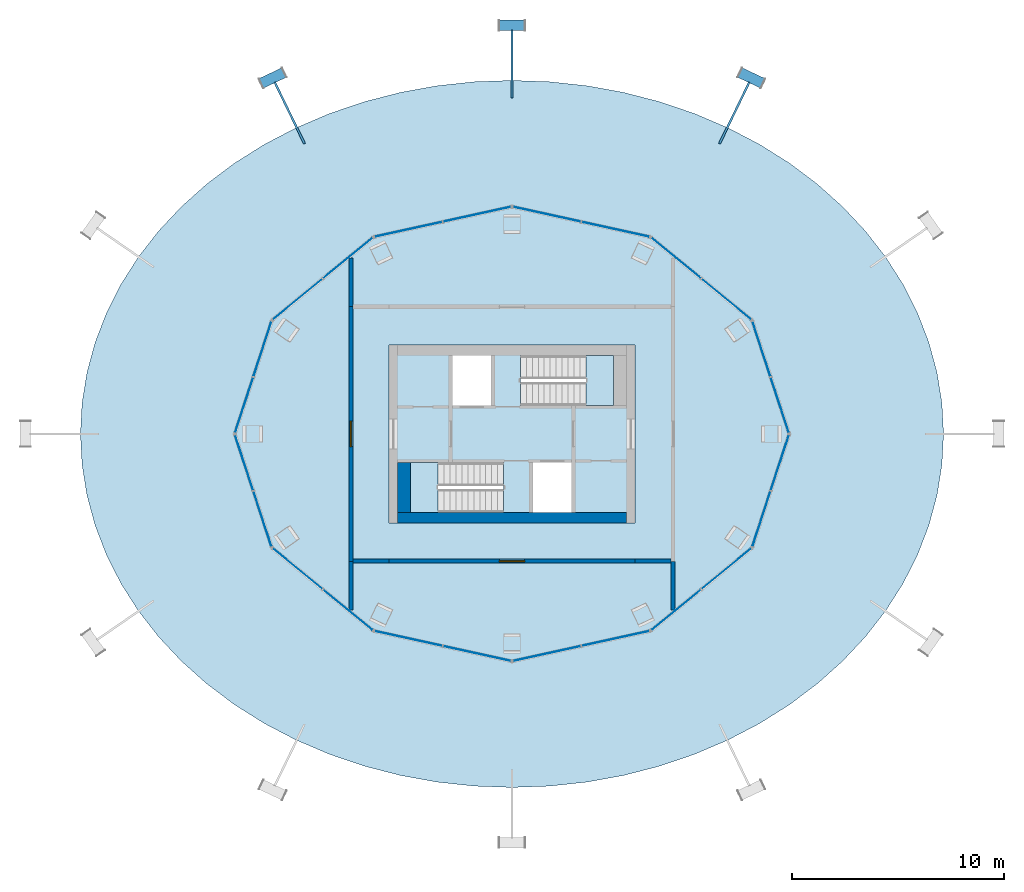
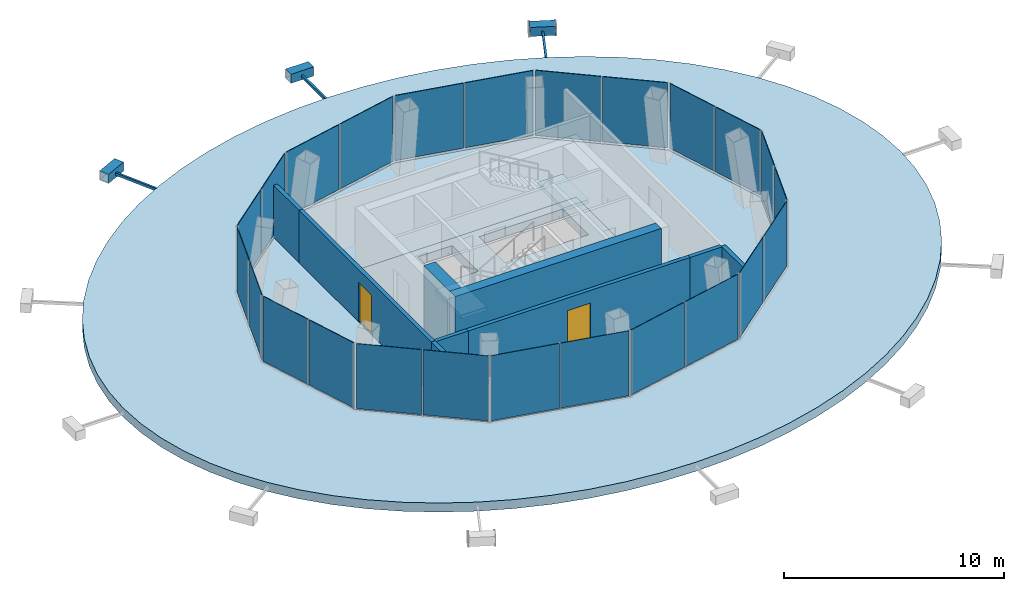
# One storey, part 5 of 10: 24 plates, 9 walls, 6 members, 5 slabs, 2 doors, 2 openings, 14 elements without a shape of their own.
"""IFC4 building model written with IfcOpenShell, lengths in metres."""

from ifc_helpers import new_model, si_unit, direction, frame, frame_2d, origin, origin_2d, place, context, subcontext, project, spatial, polyline, rectangle, hollow_rectangle, outline, extrude, material, layer, layer_set, material_profile, profile_set, type_object, element, fill, aggregate, save


model = new_model("IFC4")

# Units and contexts
model_context = context("Model", 3, precision=1e-05, world=origin(), true_north=direction((0.0, 1.0)))
body_context = subcontext(model_context, "Body", "Model", "MODEL_VIEW")
ifc_project = project(units=[si_unit("LENGTHUNIT", "METRE"), si_unit("AREAUNIT", "SQUARE_METRE"), si_unit("VOLUMEUNIT", "CUBIC_METRE"), si_unit("PLANEANGLEUNIT", "RADIAN"), si_unit("MASSUNIT", "GRAM", prefix="KILO")], contexts=[model_context])

# Site, building, storey
site_placement = place(None, origin())
site = spatial("IfcSite", under=ifc_project, at=site_placement, CompositionType="ELEMENT")
building_placement = place(site_placement, origin())
building = spatial("IfcBuilding", under=site, at=building_placement, Name="Siaravel Broadcast Tower", CompositionType="ELEMENT")
storey_placement = place(building_placement, frame((0.0, 0.0, 272.60009765625)))
storey = spatial("IfcBuildingStorey", under=building, at=storey_placement, Name="L66", CompositionType="ELEMENT", Elevation=272.60009765625)

# Members
ifc_material_1 = material(Name="Steel S460", Category="steel")
ifc_material_profile_1 = material_profile(ifc_material_1, hollow_rectangle(XDim=0.5, YDim=0.5, WallThickness=0.031982421875, at=origin_2d()))
ifc_profile_set_1 = profile_set([ifc_material_profile_1], Name="Steel S460")
member_type_1 = type_object("IfcMemberType", Name="Diagrid node BOX 500x500x32", PredefinedType="USERDEFINED", material=ifc_profile_set_1)
member_1_placement = place(storey_placement, frame((11.82958984375, 16.5419921875, -0.2001953125), z_axis=(-0.904005771, 0.427520253, 0.0), x_axis=(-0.427520253, -0.904005771, 0.0)))
element("IfcMember", 1, at=member_1_placement, inside=storey, type_object=member_type_1, Name="Diagrid node R27 station 12", ObjectType="DIAGRID NODE", PredefinedType="USERDEFINED", context=body_context, shape_type="SweptSolid", body=[
    extrude(hollow_rectangle(XDim=0.5, YDim=0.5, WallThickness=0.031982421875, at=origin_2d()), origin(), (0.0, 0.0, 1.0), 1.186767578125),
])
member_2_placement = place(storey_placement, frame((0.593505859375, 19.280029296875, -0.2001953125), z_axis=(-1.0, 0.0, 0.0), x_axis=(0.0, -1.0, 0.0)))
element("IfcMember", 2, at=member_2_placement, inside=storey, type_object=member_type_1, Name="Diagrid node R27 station 18", ObjectType="DIAGRID NODE", PredefinedType="USERDEFINED", context=body_context, shape_type="SweptSolid", body=[
    extrude(hollow_rectangle(XDim=0.5, YDim=0.5, WallThickness=0.031982421875, at=origin_2d()), origin(), (0.0, 0.0, 1.0), 1.18701171875),
])
member_3_placement = place(storey_placement, frame((-10.7568359375, 17.04931640625, -0.2001953125), z_axis=(-0.904005771, -0.427520253, 0.0), x_axis=(0.427520253, -0.904005771, 0.0)))
element("IfcMember", 3, at=member_3_placement, inside=storey, type_object=member_type_1, Name="Diagrid node R27 station 24", ObjectType="DIAGRID NODE", PredefinedType="USERDEFINED", context=body_context, shape_type="SweptSolid", body=[
    extrude(hollow_rectangle(XDim=0.5, YDim=0.5, WallThickness=0.031982421875, at=origin_2d()), origin(), (0.0, 0.0, 1.0), 1.186767578125),
])
ifc_material_profile_2 = material_profile(ifc_material_1, hollow_rectangle(XDim=0.10009765625, YDim=0.14990234375, WallThickness=0.008056640625, at=origin_2d()))
ifc_profile_set_2 = profile_set([ifc_material_profile_2], Name="Steel S460")
member_type_2 = type_object("IfcMemberType", Name="Diagrid node arm RHS 150x100x8", PredefinedType="STRUT", material=ifc_profile_set_2)
member_4_placement = place(storey_placement, frame((9.78857421875, 13.692138671875, -0.25), z_axis=(0.436262376, 0.899819504, 0.0), x_axis=(-0.899819504, 0.436262376, 0.0)))
element("IfcMember", 4, at=member_4_placement, inside=storey, type_object=member_type_2, Name="Node arm R27 station 12", PredefinedType="STRUT", context=body_context, shape_type="SweptSolid", body=[
    extrude(hollow_rectangle(XDim=0.10009765625, YDim=0.14990234375, WallThickness=0.008056640625, at=origin_2d()), origin(), (0.0, 0.0, 1.0), 3.22900390625),
])
member_5_placement = place(storey_placement, frame((0.0, 15.840087890625, -0.25), z_axis=(0.0, 1.0, 0.0), x_axis=(-1.0, 0.0, 0.0)))
element("IfcMember", 5, at=member_5_placement, inside=storey, type_object=member_type_2, Name="Node arm R27 station 18", PredefinedType="STRUT", context=body_context, shape_type="SweptSolid", body=[
    extrude(hollow_rectangle(XDim=0.10009765625, YDim=0.14990234375, WallThickness=0.008056640625, at=origin_2d()), origin(), (0.0, 0.0, 1.0), 3.219970703125),
])
member_6_placement = place(storey_placement, frame((-9.78857421875, 13.692138671875, -0.25), z_axis=(-0.436262376, 0.899819504, 0.0), x_axis=(-0.899819504, -0.436262376, 0.0)))
element("IfcMember", 6, at=member_6_placement, inside=storey, type_object=member_type_2, Name="Node arm R27 station 24", PredefinedType="STRUT", context=body_context, shape_type="SweptSolid", body=[
    extrude(hollow_rectangle(XDim=0.10009765625, YDim=0.14990234375, WallThickness=0.008056640625, at=origin_2d()), origin(), (0.0, 0.0, 1.0), 3.22900390625),
])

# Curtain wall, plates
ifc_material_2 = material(Name="Aluminium 6063-T6", Category="aluminium")
ifc_layer_1 = layer(ifc_material_2, 0.179931640625)
ifc_layer_set_1 = layer_set([ifc_layer_1], Name="Aluminium 6063-T6")
curtain_wall_type = type_object("IfcCurtainWallType", Name="Crown glass facet wall", PredefinedType="NOTDEFINED", material=ifc_layer_set_1)
curtain_wall_1_placement = place(storey_placement, origin())
curtain_wall_1 = element("IfcCurtainWall", 7, at=curtain_wall_1_placement, inside=storey, type_object=curtain_wall_type, Name="L66 Crown glass facet wall 01", PredefinedType="NOTDEFINED")
ifc_material_3 = material(Name="Low-iron laminated glass", Category="glass")
ifc_layer_2 = layer(ifc_material_3, 0.02392578125)
ifc_layer_set_2 = layer_set([ifc_layer_2], Name="Low-iron laminated glass")
plate_type = type_object("IfcPlateType", Name="CW-CR glass panel", PredefinedType="CURTAIN_PANEL", material=ifc_layer_set_2)
plate_1_placement = place(storey_placement, frame((12.63916015625, 1.35595703125, 0.099853515625), z_axis=(0.0, 0.0, 1.0), x_axis=(-0.310861592, 0.950455191, 0.0)))
plate_1 = element("IfcPlate", 8, at=plate_1_placement, type_object=plate_type, Name="CW-CR glass panel", PredefinedType="CURTAIN_PANEL", context=body_context, shape_type="SweptSolid", body=[
    extrude(rectangle(XDim=2.733154296875, YDim=0.02392578125, at=origin_2d()), origin(), (0.0, 0.0, 1.0), 3.60009765625),
])
plate_2_placement = place(storey_placement, frame((11.77099609375, 4.010498046875, 0.099853515625), z_axis=(0.0, 0.0, 1.0), x_axis=(-0.310861592, 0.950455191, 0.0)))
plate_2 = element("IfcPlate", 9, at=plate_2_placement, type_object=plate_type, Name="CW-CR glass panel", PredefinedType="CURTAIN_PANEL", context=body_context, shape_type="SweptSolid", body=[
    extrude(rectangle(XDim=2.733154296875, YDim=0.02392578125, at=origin_2d()), origin(), (0.0, 0.0, 1.0), 3.60009765625),
])
aggregate(curtain_wall_1, [plate_1, plate_2])

curtain_wall_2_placement = place(storey_placement, origin())
curtain_wall_2 = element("IfcCurtainWall", 10, at=curtain_wall_2_placement, inside=storey, type_object=curtain_wall_type, Name="L66 Crown glass facet wall 02", PredefinedType="NOTDEFINED")
plate_3_placement = place(storey_placement, frame((10.118408203125, 6.35693359375, 0.099853515625), z_axis=(0.0, 0.0, 1.0), x_axis=(-0.773569435, 0.63371155, 0.0)))
plate_3 = element("IfcPlate", 11, at=plate_3_placement, type_object=plate_type, Name="CW-CR glass panel", PredefinedType="CURTAIN_PANEL", context=body_context, shape_type="SweptSolid", body=[
    extrude(rectangle(XDim=3.005859375, YDim=0.02392578125, at=origin_2d()), origin(), (0.0, 0.0, 1.0), 3.60009765625),
])
plate_4_placement = place(storey_placement, frame((7.74658203125, 8.2998046875, 0.099853515625), z_axis=(0.0, 0.0, 1.0), x_axis=(-0.773569435, 0.63371155, 0.0)))
plate_4 = element("IfcPlate", 12, at=plate_4_placement, type_object=plate_type, Name="CW-CR glass panel", PredefinedType="CURTAIN_PANEL", context=body_context, shape_type="SweptSolid", body=[
    extrude(rectangle(XDim=3.005859375, YDim=0.02392578125, at=origin_2d()), origin(), (0.0, 0.0, 1.0), 3.60009765625),
])
aggregate(curtain_wall_2, [plate_3, plate_4])

curtain_wall_3_placement = place(storey_placement, origin())
curtain_wall_3 = element("IfcCurtainWall", 13, at=curtain_wall_3_placement, inside=storey, type_object=curtain_wall_type, Name="L66 Crown glass facet wall 03", PredefinedType="NOTDEFINED")
plate_5_placement = place(storey_placement, frame((4.888671875, 9.652099609375, 0.099853515625), z_axis=(0.0, 0.0, 1.0), x_axis=(-0.976747294, 0.214393853, 0.0)))
plate_5 = element("IfcPlate", 14, at=plate_5_placement, type_object=plate_type, Name="CW-CR glass panel", PredefinedType="CURTAIN_PANEL", context=body_context, shape_type="SweptSolid", body=[
    extrude(rectangle(XDim=3.256591796875, YDim=0.02392578125, at=origin_2d()), origin(), (0.0, 0.0, 1.0), 3.60009765625),
])
plate_6_placement = place(storey_placement, frame((1.649169921875, 10.36328125, 0.099853515625), z_axis=(0.0, 0.0, 1.0), x_axis=(-0.976747294, 0.214393853, 0.0)))
plate_6 = element("IfcPlate", 15, at=plate_6_placement, type_object=plate_type, Name="CW-CR glass panel", PredefinedType="CURTAIN_PANEL", context=body_context, shape_type="SweptSolid", body=[
    extrude(rectangle(XDim=3.256591796875, YDim=0.02392578125, at=origin_2d()), origin(), (0.0, 0.0, 1.0), 3.60009765625),
])
aggregate(curtain_wall_3, [plate_5, plate_6])

curtain_wall_4_placement = place(storey_placement, origin())
curtain_wall_4 = element("IfcCurtainWall", 16, at=curtain_wall_4_placement, inside=storey, type_object=curtain_wall_type, Name="L66 Crown glass facet wall 04", PredefinedType="NOTDEFINED")
plate_7_placement = place(storey_placement, frame((-1.649169921875, 10.36328125, 0.099853515625), z_axis=(0.0, 0.0, 1.0), x_axis=(-0.976747294, -0.214393853, 0.0)))
plate_7 = element("IfcPlate", 17, at=plate_7_placement, type_object=plate_type, Name="CW-CR glass panel", PredefinedType="CURTAIN_PANEL", context=body_context, shape_type="SweptSolid", body=[
    extrude(rectangle(XDim=3.256591796875, YDim=0.02392578125, at=origin_2d()), origin(), (0.0, 0.0, 1.0), 3.60009765625),
])
plate_8_placement = place(storey_placement, frame((-4.888671875, 9.652099609375, 0.099853515625), z_axis=(0.0, 0.0, 1.0), x_axis=(-0.976747294, -0.214393853, 0.0)))
plate_8 = element("IfcPlate", 18, at=plate_8_placement, type_object=plate_type, Name="CW-CR glass panel", PredefinedType="CURTAIN_PANEL", context=body_context, shape_type="SweptSolid", body=[
    extrude(rectangle(XDim=3.256591796875, YDim=0.02392578125, at=origin_2d()), origin(), (0.0, 0.0, 1.0), 3.60009765625),
])
aggregate(curtain_wall_4, [plate_7, plate_8])

curtain_wall_5_placement = place(storey_placement, origin())
curtain_wall_5 = element("IfcCurtainWall", 19, at=curtain_wall_5_placement, inside=storey, type_object=curtain_wall_type, Name="L66 Crown glass facet wall 05", PredefinedType="NOTDEFINED")
plate_9_placement = place(storey_placement, frame((-7.74658203125, 8.2998046875, 0.099853515625), z_axis=(0.0, 0.0, 1.0), x_axis=(-0.773569435, -0.63371155, 0.0)))
plate_9 = element("IfcPlate", 20, at=plate_9_placement, type_object=plate_type, Name="CW-CR glass panel", PredefinedType="CURTAIN_PANEL", context=body_context, shape_type="SweptSolid", body=[
    extrude(rectangle(XDim=3.005859375, YDim=0.02392578125, at=origin_2d()), origin(), (0.0, 0.0, 1.0), 3.60009765625),
])
plate_10_placement = place(storey_placement, frame((-10.118408203125, 6.35693359375, 0.099853515625), z_axis=(0.0, 0.0, 1.0), x_axis=(-0.773569435, -0.63371155, 0.0)))
plate_10 = element("IfcPlate", 21, at=plate_10_placement, type_object=plate_type, Name="CW-CR glass panel", PredefinedType="CURTAIN_PANEL", context=body_context, shape_type="SweptSolid", body=[
    extrude(rectangle(XDim=3.005859375, YDim=0.02392578125, at=origin_2d()), origin(), (0.0, 0.0, 1.0), 3.60009765625),
])
aggregate(curtain_wall_5, [plate_9, plate_10])

curtain_wall_6_placement = place(storey_placement, origin())
curtain_wall_6 = element("IfcCurtainWall", 22, at=curtain_wall_6_placement, inside=storey, type_object=curtain_wall_type, Name="L66 Crown glass facet wall 06", PredefinedType="NOTDEFINED")
plate_11_placement = place(storey_placement, frame((-11.77099609375, 4.010498046875, 0.099853515625), z_axis=(0.0, 0.0, 1.0), x_axis=(-0.310861592, -0.950455191, 0.0)))
plate_11 = element("IfcPlate", 23, at=plate_11_placement, type_object=plate_type, Name="CW-CR glass panel", PredefinedType="CURTAIN_PANEL", context=body_context, shape_type="SweptSolid", body=[
    extrude(rectangle(XDim=2.733154296875, YDim=0.02392578125, at=origin_2d()), origin(), (0.0, 0.0, 1.0), 3.60009765625),
])
plate_12_placement = place(storey_placement, frame((-12.63916015625, 1.35595703125, 0.099853515625), z_axis=(0.0, 0.0, 1.0), x_axis=(-0.310861592, -0.950455191, 0.0)))
plate_12 = element("IfcPlate", 24, at=plate_12_placement, type_object=plate_type, Name="CW-CR glass panel", PredefinedType="CURTAIN_PANEL", context=body_context, shape_type="SweptSolid", body=[
    extrude(rectangle(XDim=2.733154296875, YDim=0.02392578125, at=origin_2d()), origin(), (0.0, 0.0, 1.0), 3.60009765625),
])
aggregate(curtain_wall_6, [plate_11, plate_12])

curtain_wall_7_placement = place(storey_placement, origin())
curtain_wall_7 = element("IfcCurtainWall", 25, at=curtain_wall_7_placement, inside=storey, type_object=curtain_wall_type, Name="L66 Crown glass facet wall 07", PredefinedType="NOTDEFINED")
plate_13_placement = place(storey_placement, frame((-12.63916015625, -1.35595703125, 0.099853515625), z_axis=(0.0, 0.0, 1.0), x_axis=(0.310861592, -0.950455191, 0.0)))
plate_13 = element("IfcPlate", 26, at=plate_13_placement, type_object=plate_type, Name="CW-CR glass panel", PredefinedType="CURTAIN_PANEL", context=body_context, shape_type="SweptSolid", body=[
    extrude(rectangle(XDim=2.733154296875, YDim=0.02392578125, at=origin_2d()), origin(), (0.0, 0.0, 1.0), 3.60009765625),
])
plate_14_placement = place(storey_placement, frame((-11.77099609375, -4.010498046875, 0.099853515625), z_axis=(0.0, 0.0, 1.0), x_axis=(0.310861592, -0.950455191, 0.0)))
plate_14 = element("IfcPlate", 27, at=plate_14_placement, type_object=plate_type, Name="CW-CR glass panel", PredefinedType="CURTAIN_PANEL", context=body_context, shape_type="SweptSolid", body=[
    extrude(rectangle(XDim=2.733154296875, YDim=0.02392578125, at=origin_2d()), origin(), (0.0, 0.0, 1.0), 3.60009765625),
])
aggregate(curtain_wall_7, [plate_13, plate_14])

curtain_wall_8_placement = place(storey_placement, origin())
curtain_wall_8 = element("IfcCurtainWall", 28, at=curtain_wall_8_placement, inside=storey, type_object=curtain_wall_type, Name="L66 Crown glass facet wall 08", PredefinedType="NOTDEFINED")
plate_15_placement = place(storey_placement, frame((-10.118408203125, -6.35693359375, 0.099853515625), z_axis=(0.0, 0.0, 1.0), x_axis=(0.773569435, -0.63371155, 0.0)))
plate_15 = element("IfcPlate", 29, at=plate_15_placement, type_object=plate_type, Name="CW-CR glass panel", PredefinedType="CURTAIN_PANEL", context=body_context, shape_type="SweptSolid", body=[
    extrude(rectangle(XDim=3.005859375, YDim=0.02392578125, at=origin_2d()), origin(), (0.0, 0.0, 1.0), 3.60009765625),
])
plate_16_placement = place(storey_placement, frame((-7.74658203125, -8.2998046875, 0.099853515625), z_axis=(0.0, 0.0, 1.0), x_axis=(0.773569435, -0.63371155, 0.0)))
plate_16 = element("IfcPlate", 30, at=plate_16_placement, type_object=plate_type, Name="CW-CR glass panel", PredefinedType="CURTAIN_PANEL", context=body_context, shape_type="SweptSolid", body=[
    extrude(rectangle(XDim=3.005859375, YDim=0.02392578125, at=origin_2d()), origin(), (0.0, 0.0, 1.0), 3.60009765625),
])
aggregate(curtain_wall_8, [plate_15, plate_16])

curtain_wall_9_placement = place(storey_placement, origin())
curtain_wall_9 = element("IfcCurtainWall", 31, at=curtain_wall_9_placement, inside=storey, type_object=curtain_wall_type, Name="L66 Crown glass facet wall 09", PredefinedType="NOTDEFINED")
plate_17_placement = place(storey_placement, frame((-4.888671875, -9.652099609375, 0.099853515625), z_axis=(0.0, 0.0, 1.0), x_axis=(0.976747294, -0.214393853, 0.0)))
plate_17 = element("IfcPlate", 32, at=plate_17_placement, type_object=plate_type, Name="CW-CR glass panel", PredefinedType="CURTAIN_PANEL", context=body_context, shape_type="SweptSolid", body=[
    extrude(rectangle(XDim=3.256591796875, YDim=0.02392578125, at=origin_2d()), origin(), (0.0, 0.0, 1.0), 3.60009765625),
])
plate_18_placement = place(storey_placement, frame((-1.649169921875, -10.36328125, 0.099853515625), z_axis=(0.0, 0.0, 1.0), x_axis=(0.976747294, -0.214393853, 0.0)))
plate_18 = element("IfcPlate", 33, at=plate_18_placement, type_object=plate_type, Name="CW-CR glass panel", PredefinedType="CURTAIN_PANEL", context=body_context, shape_type="SweptSolid", body=[
    extrude(rectangle(XDim=3.256591796875, YDim=0.02392578125, at=origin_2d()), origin(), (0.0, 0.0, 1.0), 3.60009765625),
])
aggregate(curtain_wall_9, [plate_17, plate_18])

curtain_wall_10_placement = place(storey_placement, origin())
curtain_wall_10 = element("IfcCurtainWall", 34, at=curtain_wall_10_placement, inside=storey, type_object=curtain_wall_type, Name="L66 Crown glass facet wall 10", PredefinedType="NOTDEFINED")
plate_19_placement = place(storey_placement, frame((1.649169921875, -10.36328125, 0.099853515625), z_axis=(0.0, 0.0, 1.0), x_axis=(0.976747294, 0.214393853, 0.0)))
plate_19 = element("IfcPlate", 35, at=plate_19_placement, type_object=plate_type, Name="CW-CR glass panel", PredefinedType="CURTAIN_PANEL", context=body_context, shape_type="SweptSolid", body=[
    extrude(rectangle(XDim=3.256591796875, YDim=0.02392578125, at=origin_2d()), origin(), (0.0, 0.0, 1.0), 3.60009765625),
])
plate_20_placement = place(storey_placement, frame((4.888671875, -9.652099609375, 0.099853515625), z_axis=(0.0, 0.0, 1.0), x_axis=(0.976747294, 0.214393853, 0.0)))
plate_20 = element("IfcPlate", 36, at=plate_20_placement, type_object=plate_type, Name="CW-CR glass panel", PredefinedType="CURTAIN_PANEL", context=body_context, shape_type="SweptSolid", body=[
    extrude(rectangle(XDim=3.256591796875, YDim=0.02392578125, at=origin_2d()), origin(), (0.0, 0.0, 1.0), 3.60009765625),
])
aggregate(curtain_wall_10, [plate_19, plate_20])

curtain_wall_11_placement = place(storey_placement, origin())
curtain_wall_11 = element("IfcCurtainWall", 37, at=curtain_wall_11_placement, inside=storey, type_object=curtain_wall_type, Name="L66 Crown glass facet wall 11", PredefinedType="NOTDEFINED")
plate_21_placement = place(storey_placement, frame((7.74658203125, -8.2998046875, 0.099853515625), z_axis=(0.0, 0.0, 1.0), x_axis=(0.773569435, 0.63371155, 0.0)))
plate_21 = element("IfcPlate", 38, at=plate_21_placement, type_object=plate_type, Name="CW-CR glass panel", PredefinedType="CURTAIN_PANEL", context=body_context, shape_type="SweptSolid", body=[
    extrude(rectangle(XDim=3.005859375, YDim=0.02392578125, at=origin_2d()), origin(), (0.0, 0.0, 1.0), 3.60009765625),
])
plate_22_placement = place(storey_placement, frame((10.118408203125, -6.35693359375, 0.099853515625), z_axis=(0.0, 0.0, 1.0), x_axis=(0.773569435, 0.63371155, 0.0)))
plate_22 = element("IfcPlate", 39, at=plate_22_placement, type_object=plate_type, Name="CW-CR glass panel", PredefinedType="CURTAIN_PANEL", context=body_context, shape_type="SweptSolid", body=[
    extrude(rectangle(XDim=3.005859375, YDim=0.02392578125, at=origin_2d()), origin(), (0.0, 0.0, 1.0), 3.60009765625),
])
aggregate(curtain_wall_11, [plate_21, plate_22])

curtain_wall_12_placement = place(storey_placement, origin())
curtain_wall_12 = element("IfcCurtainWall", 40, at=curtain_wall_12_placement, inside=storey, type_object=curtain_wall_type, Name="L66 Crown glass facet wall 12", PredefinedType="NOTDEFINED")
plate_23_placement = place(storey_placement, frame((11.77099609375, -4.010498046875, 0.099853515625), z_axis=(0.0, 0.0, 1.0), x_axis=(0.310861592, 0.950455191, 0.0)))
plate_23 = element("IfcPlate", 41, at=plate_23_placement, type_object=plate_type, Name="CW-CR glass panel", PredefinedType="CURTAIN_PANEL", context=body_context, shape_type="SweptSolid", body=[
    extrude(rectangle(XDim=2.733154296875, YDim=0.02392578125, at=origin_2d()), origin(), (0.0, 0.0, 1.0), 3.60009765625),
])
plate_24_placement = place(storey_placement, frame((12.63916015625, -1.35595703125, 0.099853515625), z_axis=(0.0, 0.0, 1.0), x_axis=(0.310861592, 0.950455191, 0.0)))
plate_24 = element("IfcPlate", 42, at=plate_24_placement, type_object=plate_type, Name="CW-CR glass panel", PredefinedType="CURTAIN_PANEL", context=body_context, shape_type="SweptSolid", body=[
    extrude(rectangle(XDim=2.733154296875, YDim=0.02392578125, at=origin_2d()), origin(), (0.0, 0.0, 1.0), 3.60009765625),
])
aggregate(curtain_wall_12, [plate_23, plate_24])

# Slabs
ifc_material_4 = material(Name="Concrete C40/50", Category="concrete")
ifc_layer_3 = layer(ifc_material_4, 0.5)
ifc_layer_set_3 = layer_set([ifc_layer_3], Name="Concrete C40/50")
slab_type_1 = type_object("IfcSlabType", Name="Core floor slab 500", PredefinedType="FLOOR", material=ifc_layer_set_3)
slab_1_placement = place(storey_placement, frame((0.0, 0.0, -0.5)))
element("IfcSlab", 43, at=slab_1_placement, inside=storey, type_object=slab_type_1, Name="L66 core floor", PredefinedType="FLOOR", context=body_context, shape_type="SweptSolid", body=[
    extrude(outline(polyline([(-5.800048828125, -4.199951171875), (-5.800048828125, 4.199951171875), (5.800048828125, 4.199951171875), (5.800048828125, -4.199951171875), (-5.800048828125, -4.199951171875)]), holes=[polyline([(0.400390625, 3.699462890625), (0.400390625, 1.3505859375), (4.799560546875, 1.3505859375), (4.799560546875, 3.699462890625), (0.400390625, 3.699462890625)]), polyline([(1.0, -3.699951171875), (2.800048828125, -3.699951171875), (2.800048828125, -1.35009765625), (1.0, -1.35009765625), (1.0, -3.699951171875)]), polyline([(-0.400390625, -3.699462890625), (-0.400390625, -1.3505859375), (-4.799560546875, -1.3505859375), (-4.799560546875, -3.699462890625), (-0.400390625, -3.699462890625)]), polyline([(-2.800048828125, 1.35009765625), (-1.0, 1.35009765625), (-1.0, 3.699951171875), (-2.800048828125, 3.699951171875), (-2.800048828125, 1.35009765625)])]), origin(), (0.0, 0.0, 1.0), 0.5),
])
ifc_layer_4 = layer(ifc_material_4, 0.5)
ifc_layer_set_4 = layer_set([ifc_layer_4], Name="Concrete C40/50")
slab_type_2 = type_object("IfcSlabType", Name="SLB-FLOOR-500", PredefinedType="FLOOR", material=ifc_layer_set_4)
slab_2_placement = place(storey_placement, frame((0.0, 0.0, -0.5)))
element("IfcSlab", 44, at=slab_2_placement, inside=storey, type_object=slab_type_2, Name="Floor slab", PredefinedType="FLOOR", context=body_context, shape_type="SweptSolid", body=[
    extrude(outline(polyline([(13.03271484375, 0.0), (11.28662109375, 5.337646484375), (6.516357421875, 9.2451171875), (0.0, 10.67529296875), (-6.516357421875, 9.2451171875), (-11.28662109375, 5.337646484375), (-13.03271484375, 0.0), (-11.28662109375, -5.337646484375), (-6.516357421875, -9.2451171875), (0.0, -10.67529296875), (6.516357421875, -9.2451171875), (11.28662109375, -5.337646484375), (13.03271484375, 0.0)]), holes=[polyline([(-5.800048828125, 4.199951171875), (5.800048828125, 4.199951171875), (5.800048828125, -4.199951171875), (-5.800048828125, -4.199951171875), (-5.800048828125, 4.199951171875)])]), origin(), (0.0, 0.0, 1.0), 0.5),
])
ifc_layer_5 = layer(ifc_material_4, 0.5)
ifc_layer_set_5 = layer_set([ifc_layer_5], Name="Concrete C40/50")
slab_type_3 = type_object("IfcSlabType", Name="SLB-ROOF-500", PredefinedType="ROOF", material=ifc_layer_set_5)
slab_3_placement = place(storey_placement, frame((0.0, 0.0, -0.5)))
element("IfcSlab", 45, at=slab_3_placement, inside=storey, type_object=slab_type_3, Name="Slot storey roof slab", PredefinedType="ROOF", context=body_context, shape_type="SweptSolid", body=[
    extrude(outline(polyline([(20.363525390625, 0.0), (20.285888671875, 1.453857421875), (20.05419921875, 2.896484375), (19.669677734375, 4.317138671875), (19.135498046875, 5.704833984375), (18.45556640625, 7.04931640625), (17.63525390625, 8.340087890625), (16.680908203125, 9.5673828125), (15.599365234375, 10.7216796875), (14.399169921875, 11.79443359375), (13.08935546875, 12.777587890625), (11.679931640625, 13.66357421875), (10.181884765625, 14.4453125), (8.60595703125, 15.1171875), (6.964599609375, 15.674072265625), (5.2705078125, 16.111572265625), (3.5361328125, 16.426513671875), (1.77490234375, 16.616455078125), (0.0, 16.679931640625), (-1.77490234375, 16.616455078125), (-3.5361328125, 16.426513671875), (-5.2705078125, 16.111572265625), (-6.964599609375, 15.674072265625), (-8.60595703125, 15.1171875), (-10.181640625, 14.4453125), (-11.679931640625, 13.66357421875), (-13.08935546875, 12.777587890625), (-14.399169921875, 11.79443359375), (-15.599365234375, 10.7216796875), (-16.680908203125, 9.5673828125), (-17.63525390625, 8.340087890625), (-18.45556640625, 7.04931640625), (-19.135498046875, 5.704833984375), (-19.669677734375, 4.317138671875), (-20.05419921875, 2.896484375), (-20.285888671875, 1.453857421875), (-20.363525390625, 0.0), (-20.285888671875, -1.453857421875), (-20.05419921875, -2.896484375), (-19.669677734375, -4.317138671875), (-19.135498046875, -5.704833984375), (-18.45556640625, -7.04931640625), (-17.63525390625, -8.340087890625), (-16.680908203125, -9.5673828125), (-15.599365234375, -10.7216796875), (-14.399169921875, -11.79443359375), (-13.08935546875, -12.777587890625), (-11.679931640625, -13.66357421875), (-10.181884765625, -14.4453125), (-8.60595703125, -15.1171875), (-6.964599609375, -15.674072265625), (-5.2705078125, -16.111572265625), (-3.5361328125, -16.426513671875), (-1.77490234375, -16.616455078125), (0.0, -16.679931640625), (1.77490234375, -16.616455078125), (3.5361328125, -16.426513671875), (5.2705078125, -16.111572265625), (6.964599609375, -15.674072265625), (8.60595703125, -15.1171875), (10.181884765625, -14.4453125), (11.679931640625, -13.66357421875), (13.08935546875, -12.777587890625), (14.399169921875, -11.79443359375), (15.599365234375, -10.7216796875), (16.680908203125, -9.5673828125), (17.63525390625, -8.340087890625), (18.45556640625, -7.04931640625), (19.135498046875, -5.704833984375), (19.669677734375, -4.317138671875), (20.05419921875, -2.896484375), (20.285888671875, -1.453857421875), (20.363525390625, 0.0)]), holes=[polyline([(11.28662109375, -5.337646484375), (6.516357421875, -9.2451171875), (0.0, -10.67529296875), (-6.516357421875, -9.2451171875), (-11.28662109375, -5.337646484375), (-13.03271484375, 0.0), (-11.28662109375, 5.337646484375), (-6.516357421875, 9.2451171875), (0.0, 10.67529296875), (6.516357421875, 9.2451171875), (11.28662109375, 5.337646484375), (13.03271484375, 0.0), (11.28662109375, -5.337646484375)])]), origin(), (0.0, 0.0, 1.0), 0.5),
])

# Stair, slab
stair_type = type_object("IfcStairType", Name="Core exit stair", PredefinedType="HALF_TURN_STAIR", material=ifc_material_4)
stair_1_placement = place(storey_placement, origin())
stair_1 = element("IfcStair", 46, at=stair_1_placement, inside=storey, type_object=stair_type, Name="L66 Exit stair ST-C1", PredefinedType="HALF_TURN_STAIR")
ifc_layer_6 = layer(ifc_material_4, 0.199951171875)
ifc_layer_set_6 = layer_set([ifc_layer_6], Name="Concrete C40/50")
slab_type_4 = type_object("IfcSlabType", Name="Stair landing", PredefinedType="LANDING", material=ifc_layer_set_6)
slab_4_placement = place(storey_placement, frame((0.0, 0.0, 1.75)))
slab_4 = element("IfcSlab", 47, at=slab_4_placement, type_object=slab_type_4, Name="ST-C1 landing 1", PredefinedType="LANDING", context=body_context, shape_type="SweptSolid", body=[
    extrude(outline(polyline([(3.47998046875, 1.35009765625), (4.800048828125, 1.35009765625), (4.800048828125, 3.699951171875), (3.47998046875, 3.699951171875), (3.47998046875, 1.35009765625)])), origin(), (0.0, 0.0, 1.0), 0.199951171875),
])
aggregate(stair_1, [slab_4])

stair_2_placement = place(storey_placement, origin())
stair_2 = element("IfcStair", 48, at=stair_2_placement, inside=storey, type_object=stair_type, Name="L66 Exit stair ST-C2", PredefinedType="HALF_TURN_STAIR")
slab_5_placement = place(storey_placement, frame((0.0, 0.0, 1.75)))
slab_5 = element("IfcSlab", 49, at=slab_5_placement, type_object=slab_type_4, Name="ST-C2 landing 1", PredefinedType="LANDING", context=body_context, shape_type="SweptSolid", body=[
    extrude(outline(polyline([(-3.47998046875, -1.35009765625), (-4.800048828125, -1.35009765625), (-4.800048828125, -3.699951171875), (-3.47998046875, -3.699951171875), (-3.47998046875, -1.35009765625)])), origin(), (0.0, 0.0, 1.0), 0.199951171875),
])
aggregate(stair_2, [slab_5])

# Wall
ifc_material_5 = material(Name="Concrete C60/75", Category="concrete")
ifc_layer_7 = layer(ifc_material_5, 0.5)
ifc_layer_set_7 = layer_set([ifc_layer_7], Name="Concrete C60/75")
wall_type_1 = type_object("IfcWallType", Name="Core wall 500", PredefinedType="SHEAR", material=ifc_layer_set_7)
wall_1_placement = place(storey_placement, frame((-5.39990234375, -3.949951171875, 0.0), z_axis=(0.0, 0.0, 1.0), x_axis=(1.0, 0.0, 0.0)))
element("IfcWall", 50, at=wall_1_placement, inside=storey, type_object=wall_type_1, Name="L66 core wall OS", PredefinedType="SHEAR", context=body_context, shape_type="SweptSolid", body=[
    extrude(rectangle(XDim=10.7998046875, YDim=0.5, at=frame_2d((5.39990234375, 0.0))), origin(), (0.0, 0.0, 1.0), 3.5),
])

# Wall, opening, door
ifc_material_6 = material(Name="Concrete blockwork", Category="masonry")
ifc_layer_8 = layer(ifc_material_6, 0.199951171875)
ifc_layer_set_8 = layer_set([ifc_layer_8], Name="Concrete blockwork")
wall_type_2 = type_object("IfcWallType", Name="Plant room wall 200", PredefinedType="PARTITIONING", material=ifc_layer_set_8)
wall_2_placement = place(storey_placement, frame((-7.60009765625, 6.011962890625, 0.0), z_axis=(0.0, 0.0, 1.0), x_axis=(0.0, -1.0, 0.0)))
wall_2 = element("IfcWall", 51, at=wall_2_placement, inside=storey, type_object=wall_type_2, Name="L66 partition 1", PredefinedType="PARTITIONING", context=body_context, shape_type="SweptSolid", body=[
    extrude(rectangle(XDim=12.02392578125, YDim=0.199951171875, at=frame_2d((6.011962890625, 0.0))), origin(), (0.0, 0.0, 1.0), 2.89990234375),
])
opening_1_placement = place(wall_2_placement, frame((5.412109375, 0.0, 0.0)))
opening_1 = element("IfcOpeningElement", 52, at=opening_1_placement, cuts=wall_2, Name="Opening L66-001", PredefinedType="OPENING", context=body_context, shape_type="SweptSolid", body=[
    extrude(rectangle(XDim=1.199951171875, YDim=2.199951171875, at=frame_2d((0.60009765625, 1.10009765625))), frame((0.0, 0.10986328125, 0.0), z_axis=(0.0, -1.0, 0.0), x_axis=(1.0, 0.0, 0.0)), (0.0, 0.0, 1.0), 0.219970703125),
])
ifc_material_7 = material(Name="Steel", Category="steel")
door_type = type_object("IfcDoorType", Name="Plant room door 1200", OperationType="DOUBLE_DOOR_SINGLE_SWING", PredefinedType="DOOR", material=ifc_material_7)
door_1_placement = place(opening_1_placement, origin())
door_1 = element("IfcDoor", 53, at=door_1_placement, inside=storey, type_object=door_type, Name="L66 door to Mechanical plant room", OperationType="DOUBLE_DOOR_SINGLE_SWING", OverallHeight=2.199951171875, OverallWidth=1.199951171875, PredefinedType="DOOR", context=body_context, shape_type="SweptSolid", body=[
    extrude(rectangle(XDim=1.199951171875, YDim=2.199951171875, at=frame_2d((0.60009765625, 1.10009765625))), frame((0.0, 0.02490234375, 0.0), z_axis=(0.0, -1.0, 0.0), x_axis=(1.0, 0.0, 0.0)), (0.0, 0.0, 1.0), 0.050048828125),
])
fill(opening_1, door_1)

wall_3_placement = place(storey_placement, frame((-5.81201171875, -6.0, 0.0), z_axis=(0.0, 0.0, 1.0), x_axis=(1.0, 0.0, 0.0)))
wall_3 = element("IfcWall", 54, at=wall_3_placement, inside=storey, type_object=wall_type_2, Name="L66 partition 3", PredefinedType="PARTITIONING", context=body_context, shape_type="SweptSolid", body=[
    extrude(rectangle(XDim=11.6240234375, YDim=0.199951171875, at=frame_2d((5.81201171875, 0.0))), origin(), (0.0, 0.0, 1.0), 2.89990234375),
])
opening_2_placement = place(wall_3_placement, frame((5.2119140625, 0.0, 0.0)))
opening_2 = element("IfcOpeningElement", 55, at=opening_2_placement, cuts=wall_3, Name="Opening L66-004", PredefinedType="OPENING", context=body_context, shape_type="SweptSolid", body=[
    extrude(rectangle(XDim=1.199951171875, YDim=2.199951171875, at=frame_2d((0.60009765625, 1.10009765625))), frame((0.0, 0.10986328125, 0.0), z_axis=(0.0, -1.0, 0.0), x_axis=(1.0, 0.0, 0.0)), (0.0, 0.0, 1.0), 0.219970703125),
])
door_2_placement = place(opening_2_placement, origin())
door_2 = element("IfcDoor", 56, at=door_2_placement, inside=storey, type_object=door_type, Name="L66 door to Smoke extract fan room", OperationType="DOUBLE_DOOR_SINGLE_SWING", OverallHeight=2.199951171875, OverallWidth=1.199951171875, PredefinedType="DOOR", context=body_context, shape_type="SweptSolid", body=[
    extrude(rectangle(XDim=1.199951171875, YDim=2.199951171875, at=frame_2d((0.60009765625, 1.10009765625))), frame((0.0, 0.02490234375, 0.0), z_axis=(0.0, -1.0, 0.0), x_axis=(1.0, 0.0, 0.0)), (0.0, 0.0, 1.0), 0.050048828125),
])
fill(opening_2, door_2)

# Walls
for number, where, z_axis, x_axis, name in (
    (57, (-7.60009765625, -8.307373046875, 0.0), (0.0, 0.0, 1.0), (0.0, 1.0, 0.0), "L66 partition 5"),
    (58, (-7.60009765625, 6.012939453125, 0.0), (0.0, 0.0, 1.0), (0.0, 1.0, 0.0), "L66 partition 6"),
    (59, (7.60009765625, -6.012939453125, 0.0), (0.0, 0.0, 1.0), (0.0, -1.0, 0.0), "L66 partition 7"),
):
    element("IfcWall", number, at=place(storey_placement, frame(where, z_axis=z_axis, x_axis=x_axis)), inside=storey, type_object=wall_type_2, Name=name, PredefinedType="PARTITIONING", context=body_context, shape_type="SweptSolid", body=[
        extrude(rectangle(XDim=2.29443359375, YDim=0.199951171875, at=frame_2d((1.147216796875, 0.0))), origin(), (0.0, 0.0, 1.0), 2.89990234375),
    ])
for number, where, z_axis, x_axis, name in (
    (60, (-7.4990234375, -6.0, 0.0), (0.0, 0.0, 1.0), (1.0, 0.0, 0.0), "L66 partition 9"),
    (61, (5.81298828125, -6.0, 0.0), (0.0, 0.0, 1.0), (1.0, 0.0, 0.0), "L66 partition 11"),
):
    element("IfcWall", number, at=place(storey_placement, frame(where, z_axis=z_axis, x_axis=x_axis)), inside=storey, type_object=wall_type_2, Name=name, PredefinedType="PARTITIONING", context=body_context, shape_type="SweptSolid", body=[
        extrude(rectangle(XDim=1.68603515625, YDim=0.199951171875, at=frame_2d((0.843017578125, 0.0))), origin(), (0.0, 0.0, 1.0), 2.89990234375),
    ])
ifc_layer_9 = layer(ifc_material_5, 0.60009765625)
ifc_layer_set_9 = layer_set([ifc_layer_9], Name="Concrete C60/75")
wall_type_3 = type_object("IfcWallType", Name="Shaft wall 600", PredefinedType="SHEAR", material=ifc_layer_set_9)
wall_4_placement = place(storey_placement, frame((-5.10009765625, -3.699951171875, 0.0), z_axis=(0.0, 0.0, 1.0), x_axis=(0.0, 1.0, 0.0)))
element("IfcWall", 62, at=wall_4_placement, inside=storey, type_object=wall_type_3, Name="L66 core wall STCW", PredefinedType="SHEAR", context=body_context, shape_type="SweptSolid", body=[
    extrude(rectangle(XDim=2.349853515625, YDim=0.60009765625, at=frame_2d((1.1748046875, 0.0))), origin(), (0.0, 0.0, 1.0), 3.5),
])

save(model, "model.ifc")
